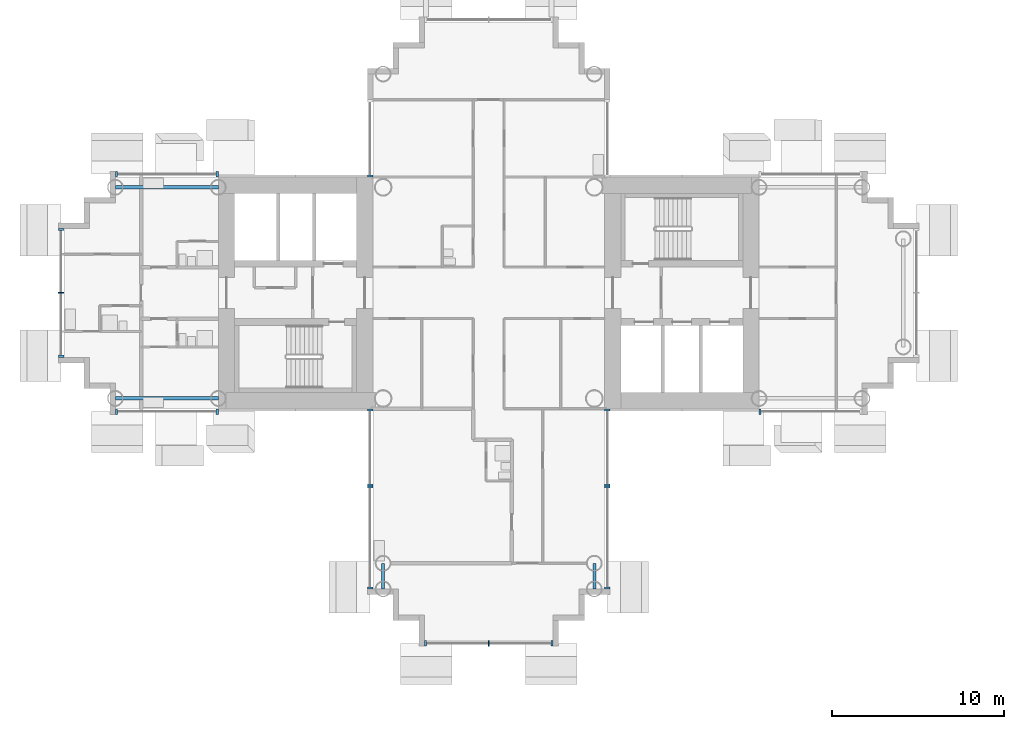
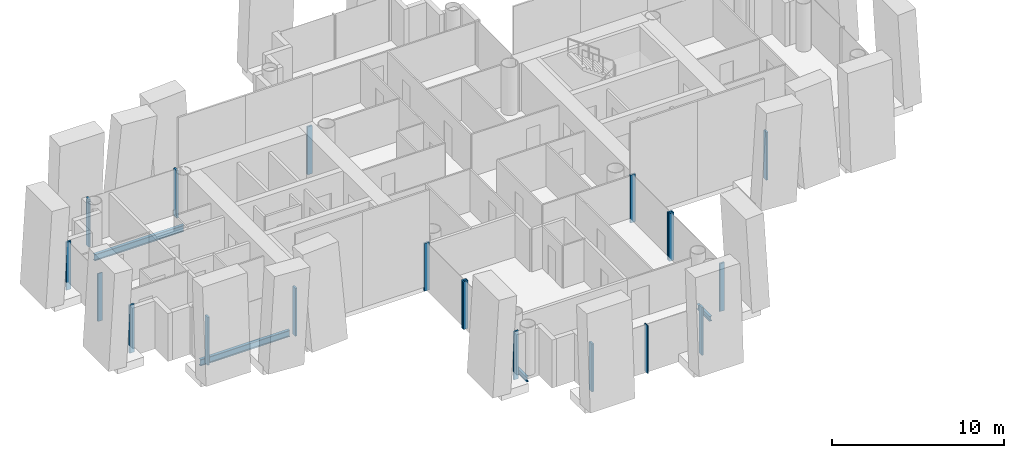
# One storey, part 3 of 21: 20 members, 4 beams, 10 elements without a shape of their own.
"""IFC4 building model written with IfcOpenShell, lengths in metres."""

from ifc_helpers import new_model, si_unit, direction, frame, origin, origin_2d, place, context, subcontext, project, spatial, rectangle, i_section, extrude, material, layer, layer_set, material_profile, profile_set, type_object, element, aggregate, save


model = new_model("IFC4")

# Units and contexts
model_context = context("Model", 3, precision=1e-05, world=origin(), true_north=direction((0.0, 1.0)))
body_context = subcontext(model_context, "Body", "Model", "MODEL_VIEW")
ifc_project = project(units=[si_unit("LENGTHUNIT", "METRE"), si_unit("AREAUNIT", "SQUARE_METRE"), si_unit("VOLUMEUNIT", "CUBIC_METRE"), si_unit("PLANEANGLEUNIT", "RADIAN"), si_unit("MASSUNIT", "GRAM", prefix="KILO")], contexts=[model_context])

# Site, building, storey
site_placement = place(None, origin())
site = spatial("IfcSite", under=ifc_project, at=site_placement, CompositionType="ELEMENT")
building_placement = place(site_placement, origin())
building = spatial("IfcBuilding", under=site, at=building_placement, Name="Ipe Terrace Towers", CompositionType="ELEMENT")
storey_placement = place(building_placement, frame((0.0, 0.0, 80.0)))
storey = spatial("IfcBuildingStorey", under=building, at=storey_placement, Name="L21", CompositionType="ELEMENT", Elevation=80.0)

# Beams
ifc_material_1 = material(Name="Steel S355", Category="steel")
ifc_material_profile_1 = material_profile(ifc_material_1, i_section(OverallWidth=0.175048828125, OverallDepth=0.35009765625, WebThickness=0.007080078125, FlangeThickness=0.010986328125, at=origin_2d()), Name="H-350x175x7x11")
ifc_profile_set_1 = profile_set([ifc_material_profile_1], Name="Steel S355")
beam_type_1 = type_object("IfcBeamType", Name="H04 EDGE BEAM H-350x175x7x11", PredefinedType="BEAM", material=ifc_profile_set_1)
for number, where, z_axis, x_axis, name in (
    (1, (-42.14990234375, -15.75, -0.574951171875), (0.0, -1.0, 0.0), (1.0, 0.0, 0.0), "Edge beam T1-EB-D03-D05"),
    (2, (-29.85009765625, -15.75, -0.574951171875), (0.0, -1.0, 0.0), (1.0, 0.0, 0.0), "Edge beam T1-EB-D04-D06"),
):
    element("IfcBeam", number, at=place(storey_placement, frame(where, z_axis=z_axis, x_axis=x_axis)), inside=storey, type_object=beam_type_1, Name=name, PredefinedType="BEAM", context=body_context, shape_type="SweptSolid", body=[
        extrude(i_section(OverallWidth=0.175048828125, OverallDepth=0.35009765625, WebThickness=0.007080078125, FlangeThickness=0.010986328125, at=origin_2d()), origin(), (0.0, 0.0, 1.0), 1.5),
    ])
ifc_material_2 = material(Name="Steel S355", Category="steel")
ifc_material_profile_2 = material_profile(ifc_material_2, i_section(OverallWidth=0.199951171875, OverallDepth=0.449951171875, WebThickness=0.009033203125, FlangeThickness=0.013916015625, at=origin_2d()), Name="H-450x200x9x14")
ifc_profile_set_2 = profile_set([ifc_material_profile_2], Name="Steel S355")
beam_type_2 = type_object("IfcBeamType", Name="H08 EDGE BEAM H-450x200x9x14", PredefinedType="BEAM", material=ifc_profile_set_2)
for number, where, z_axis, x_axis, name in (
    (3, (-51.75, -6.14990234375, -0.625), (-1.0, 0.0, 0.0), (0.0, -1.0, 0.0), "Edge beam T1-EB-C01-C03"),
    (4, (-51.75, 6.14990234375, -0.625), (-1.0, 0.0, 0.0), (0.0, -1.0, 0.0), "Edge beam T1-EB-C02-C04"),
):
    element("IfcBeam", number, at=place(storey_placement, frame(where, z_axis=z_axis, x_axis=x_axis)), inside=storey, type_object=beam_type_2, Name=name, PredefinedType="BEAM", context=body_context, shape_type="SweptSolid", body=[
        extrude(i_section(OverallWidth=0.199951171875, OverallDepth=0.449951171875, WebThickness=0.009033203125, FlangeThickness=0.013916015625, at=origin_2d()), origin(), (0.0, 0.0, 1.0), 6.0),
    ])

# Curtain wall, members
ifc_material_3 = material(Name="Aluminium alloy 6063-T6", Category="aluminium")
ifc_layer = layer(ifc_material_3, 0.320068359375)
ifc_layer_set = layer_set([ifc_layer], Name="TOWER UNITISED CURTAIN WALL")
curtain_wall_type = type_object("IfcCurtainWallType", Name="TOWER UNITISED CURTAIN WALL", PredefinedType="NOTDEFINED", material=ifc_layer_set)
curtain_wall_1_placement = place(storey_placement, origin())
curtain_wall_1 = element("IfcCurtainWall", 5, at=curtain_wall_1_placement, inside=storey, type_object=curtain_wall_type, Name="T1-CW-L21-04a curtain wall", PredefinedType="NOTDEFINED")
ifc_material_4 = material(Name="Aluminium alloy 6063-T6", Category="aluminium")
ifc_material_profile_3 = material_profile(ifc_material_4, rectangle(XDim=0.320068359375, YDim=0.1201171875, at=origin_2d()), Name="TOWER UNITISED CORNER MULLION 320 x 120")
ifc_profile_set_3 = profile_set([ifc_material_profile_3], Name="Aluminium alloy 6063-T6")
member_type_1 = type_object("IfcMemberType", Name="TOWER UNITISED CORNER MULLION 320 x 120", PredefinedType="MULLION", material=ifc_profile_set_3)
member_1_placement = place(storey_placement, frame((-57.68994140625, -6.909912109375, -0.300048828125), z_axis=(0.0, 0.0, 1.0), x_axis=(0.0, -1.0, 0.0)))
member_1 = element("IfcMember", 6, at=member_1_placement, type_object=member_type_1, Name="T1-CW-L21-04a mullion 1", PredefinedType="MULLION", context=body_context, shape_type="SweptSolid", body=[
    extrude(rectangle(XDim=0.320068359375, YDim=0.1201171875, at=origin_2d()), origin(), (0.0, 0.0, 1.0), 3.400146484375),
])
member_2_placement = place(storey_placement, frame((-51.81103515625, -6.909912109375, -0.300048828125), z_axis=(0.0, 0.0, 1.0), x_axis=(0.0, -1.0, 0.0)))
member_2 = element("IfcMember", 7, at=member_2_placement, type_object=member_type_1, Name="T1-CW-L21-04a mullion 2", PredefinedType="MULLION", context=body_context, shape_type="SweptSolid", body=[
    extrude(rectangle(XDim=0.320068359375, YDim=0.1201171875, at=origin_2d()), origin(), (0.0, 0.0, 1.0), 3.400146484375),
])
aggregate(curtain_wall_1, [member_1, member_2])

curtain_wall_2_placement = place(storey_placement, origin())
curtain_wall_2 = element("IfcCurtainWall", 8, at=curtain_wall_2_placement, inside=storey, type_object=curtain_wall_type, Name="T1-CW-L21-06a curtain wall", PredefinedType="NOTDEFINED")
member_3_placement = place(storey_placement, frame((-42.909912109375, -6.81005859375, -0.300048828125), z_axis=(0.0, 0.0, 1.0), x_axis=(-1.0, 0.0, 0.0)))
member_3 = element("IfcMember", 9, at=member_3_placement, type_object=member_type_1, Name="T1-CW-L21-06a mullion 1", PredefinedType="MULLION", context=body_context, shape_type="SweptSolid", body=[
    extrude(rectangle(XDim=0.320068359375, YDim=0.1201171875, at=origin_2d()), origin(), (0.0, 0.0, 1.0), 3.400146484375),
])
member_4_placement = place(storey_placement, frame((-42.909912109375, -11.18994140625, -0.300048828125), z_axis=(0.0, 0.0, 1.0), x_axis=(-1.0, 0.0, 0.0)))
member_4 = element("IfcMember", 10, at=member_4_placement, type_object=member_type_1, Name="T1-CW-L21-06a mullion 2", PredefinedType="MULLION", context=body_context, shape_type="SweptSolid", body=[
    extrude(rectangle(XDim=0.320068359375, YDim=0.1201171875, at=origin_2d()), origin(), (0.0, 0.0, 1.0), 3.400146484375),
])
aggregate(curtain_wall_2, [member_3, member_4])

curtain_wall_3_placement = place(storey_placement, origin())
curtain_wall_3 = element("IfcCurtainWall", 11, at=curtain_wall_3_placement, inside=storey, type_object=curtain_wall_type, Name="T1-CW-L21-07a curtain wall", PredefinedType="NOTDEFINED")
member_5_placement = place(storey_placement, frame((-42.909912109375, -11.31005859375, -0.300048828125), z_axis=(0.0, 0.0, 1.0), x_axis=(-1.0, 0.0, 0.0)))
member_5 = element("IfcMember", 12, at=member_5_placement, type_object=member_type_1, Name="T1-CW-L21-07a mullion 1", PredefinedType="MULLION", context=body_context, shape_type="SweptSolid", body=[
    extrude(rectangle(XDim=0.320068359375, YDim=0.1201171875, at=origin_2d()), origin(), (0.0, 0.0, 1.0), 3.400146484375),
])
member_6_placement = place(storey_placement, frame((-42.909912109375, -17.18994140625, -0.300048828125), z_axis=(0.0, 0.0, 1.0), x_axis=(-1.0, 0.0, 0.0)))
member_6 = element("IfcMember", 13, at=member_6_placement, type_object=member_type_1, Name="T1-CW-L21-07a mullion 2", PredefinedType="MULLION", context=body_context, shape_type="SweptSolid", body=[
    extrude(rectangle(XDim=0.320068359375, YDim=0.1201171875, at=origin_2d()), origin(), (0.0, 0.0, 1.0), 3.400146484375),
])
aggregate(curtain_wall_3, [member_5, member_6])

curtain_wall_4_placement = place(storey_placement, origin())
curtain_wall_4 = element("IfcCurtainWall", 14, at=curtain_wall_4_placement, inside=storey, type_object=curtain_wall_type, Name="T1-CW-L21-12a curtain wall", PredefinedType="NOTDEFINED")
member_7_placement = place(storey_placement, frame((-39.68994140625, -20.409912109375, -0.300048828125), z_axis=(0.0, 0.0, 1.0), x_axis=(0.0, -1.0, 0.0)))
member_7 = element("IfcMember", 15, at=member_7_placement, type_object=member_type_1, Name="T1-CW-L21-12a mullion 1", PredefinedType="MULLION", context=body_context, shape_type="SweptSolid", body=[
    extrude(rectangle(XDim=0.320068359375, YDim=0.1201171875, at=origin_2d()), origin(), (0.0, 0.0, 1.0), 3.400146484375),
])
member_8_placement = place(storey_placement, frame((-32.31005859375, -20.409912109375, -0.300048828125), z_axis=(0.0, 0.0, 1.0), x_axis=(0.0, -1.0, 0.0)))
member_8 = element("IfcMember", 16, at=member_8_placement, type_object=member_type_1, Name="T1-CW-L21-12a mullion 3", PredefinedType="MULLION", context=body_context, shape_type="SweptSolid", body=[
    extrude(rectangle(XDim=0.320068359375, YDim=0.1201171875, at=origin_2d()), origin(), (0.0, 0.0, 1.0), 3.400146484375),
])

curtain_wall_5_placement = place(storey_placement, origin())
curtain_wall_5 = element("IfcCurtainWall", 17, at=curtain_wall_5_placement, inside=storey, type_object=curtain_wall_type, Name="T1-CW-L21-17a curtain wall", PredefinedType="NOTDEFINED")
member_9_placement = place(storey_placement, frame((-29.090087890625, -17.18994140625, -0.300048828125), z_axis=(0.0, 0.0, 1.0), x_axis=(1.0, 0.0, 0.0)))
member_9 = element("IfcMember", 18, at=member_9_placement, type_object=member_type_1, Name="T1-CW-L21-17a mullion 1", PredefinedType="MULLION", context=body_context, shape_type="SweptSolid", body=[
    extrude(rectangle(XDim=0.320068359375, YDim=0.1201171875, at=origin_2d()), origin(), (0.0, 0.0, 1.0), 3.400146484375),
])
member_10_placement = place(storey_placement, frame((-29.090087890625, -11.31005859375, -0.300048828125), z_axis=(0.0, 0.0, 1.0), x_axis=(1.0, 0.0, 0.0)))
member_10 = element("IfcMember", 19, at=member_10_placement, type_object=member_type_1, Name="T1-CW-L21-17a mullion 2", PredefinedType="MULLION", context=body_context, shape_type="SweptSolid", body=[
    extrude(rectangle(XDim=0.320068359375, YDim=0.1201171875, at=origin_2d()), origin(), (0.0, 0.0, 1.0), 3.400146484375),
])
aggregate(curtain_wall_5, [member_9, member_10])

curtain_wall_6_placement = place(storey_placement, origin())
curtain_wall_6 = element("IfcCurtainWall", 20, at=curtain_wall_6_placement, inside=storey, type_object=curtain_wall_type, Name="T1-CW-L21-18a curtain wall", PredefinedType="NOTDEFINED")
member_11_placement = place(storey_placement, frame((-29.090087890625, -11.18994140625, -0.300048828125), z_axis=(0.0, 0.0, 1.0), x_axis=(1.0, 0.0, 0.0)))
member_11 = element("IfcMember", 21, at=member_11_placement, type_object=member_type_1, Name="T1-CW-L21-18a mullion 1", PredefinedType="MULLION", context=body_context, shape_type="SweptSolid", body=[
    extrude(rectangle(XDim=0.320068359375, YDim=0.1201171875, at=origin_2d()), origin(), (0.0, 0.0, 1.0), 3.400146484375),
])
member_12_placement = place(storey_placement, frame((-29.090087890625, -6.81005859375, -0.300048828125), z_axis=(0.0, 0.0, 1.0), x_axis=(1.0, 0.0, 0.0)))
member_12 = element("IfcMember", 22, at=member_12_placement, type_object=member_type_1, Name="T1-CW-L21-18a mullion 2", PredefinedType="MULLION", context=body_context, shape_type="SweptSolid", body=[
    extrude(rectangle(XDim=0.320068359375, YDim=0.1201171875, at=origin_2d()), origin(), (0.0, 0.0, 1.0), 3.400146484375),
])
aggregate(curtain_wall_6, [member_11, member_12])

# Curtain wall, member
curtain_wall_7_placement = place(storey_placement, origin())
curtain_wall_7 = element("IfcCurtainWall", 23, at=curtain_wall_7_placement, inside=storey, type_object=curtain_wall_type, Name="T1-CW-L21-20b curtain wall", PredefinedType="NOTDEFINED")
member_13_placement = place(storey_placement, frame((-20.18896484375, -6.909912109375, -0.300048828125), z_axis=(0.0, 0.0, 1.0), x_axis=(0.0, -1.0, 0.0)))
member_13 = element("IfcMember", 24, at=member_13_placement, type_object=member_type_1, Name="T1-CW-L21-20b mullion 1", PredefinedType="MULLION", context=body_context, shape_type="SweptSolid", body=[
    extrude(rectangle(XDim=0.320068359375, YDim=0.1201171875, at=origin_2d()), origin(), (0.0, 0.0, 1.0), 3.400146484375),
])
aggregate(curtain_wall_7, [member_13])

curtain_wall_8_placement = place(storey_placement, origin())
curtain_wall_8 = element("IfcCurtainWall", 25, at=curtain_wall_8_placement, inside=storey, type_object=curtain_wall_type, Name="T1-CW-L21-44a curtain wall", PredefinedType="NOTDEFINED")
member_14_placement = place(storey_placement, frame((-42.909912109375, 6.81005859375, -0.300048828125), z_axis=(0.0, 0.0, 1.0), x_axis=(-1.0, 0.0, 0.0)))
member_14 = element("IfcMember", 26, at=member_14_placement, type_object=member_type_1, Name="T1-CW-L21-44a mullion 2", PredefinedType="MULLION", context=body_context, shape_type="SweptSolid", body=[
    extrude(rectangle(XDim=0.320068359375, YDim=0.1201171875, at=origin_2d()), origin(), (0.0, 0.0, 1.0), 3.400146484375),
])
aggregate(curtain_wall_8, [member_14])

# Curtain wall, members
curtain_wall_9_placement = place(storey_placement, origin())
curtain_wall_9 = element("IfcCurtainWall", 27, at=curtain_wall_9_placement, inside=storey, type_object=curtain_wall_type, Name="T1-CW-L21-46b curtain wall", PredefinedType="NOTDEFINED")
member_15_placement = place(storey_placement, frame((-51.81103515625, 6.909912109375, -0.300048828125), z_axis=(0.0, 0.0, 1.0), x_axis=(0.0, 1.0, 0.0)))
member_15 = element("IfcMember", 28, at=member_15_placement, type_object=member_type_1, Name="T1-CW-L21-46b mullion 1", PredefinedType="MULLION", context=body_context, shape_type="SweptSolid", body=[
    extrude(rectangle(XDim=0.320068359375, YDim=0.1201171875, at=origin_2d()), origin(), (0.0, 0.0, 1.0), 3.400146484375),
])
member_16_placement = place(storey_placement, frame((-57.68994140625, 6.909912109375, -0.300048828125), z_axis=(0.0, 0.0, 1.0), x_axis=(0.0, 1.0, 0.0)))
member_16 = element("IfcMember", 29, at=member_16_placement, type_object=member_type_1, Name="T1-CW-L21-46b mullion 2", PredefinedType="MULLION", context=body_context, shape_type="SweptSolid", body=[
    extrude(rectangle(XDim=0.320068359375, YDim=0.1201171875, at=origin_2d()), origin(), (0.0, 0.0, 1.0), 3.400146484375),
])
aggregate(curtain_wall_9, [member_15, member_16])

curtain_wall_10_placement = place(storey_placement, origin())
curtain_wall_10 = element("IfcCurtainWall", 30, at=curtain_wall_10_placement, inside=storey, type_object=curtain_wall_type, Name="T1-CW-L21-51a curtain wall", PredefinedType="NOTDEFINED")
member_17_placement = place(storey_placement, frame((-60.909912109375, 3.68994140625, -0.300048828125), z_axis=(0.0, 0.0, 1.0), x_axis=(-1.0, 0.0, 0.0)))
member_17 = element("IfcMember", 31, at=member_17_placement, type_object=member_type_1, Name="T1-CW-L21-51a mullion 1", PredefinedType="MULLION", context=body_context, shape_type="SweptSolid", body=[
    extrude(rectangle(XDim=0.320068359375, YDim=0.1201171875, at=origin_2d()), origin(), (0.0, 0.0, 1.0), 3.400146484375),
])
member_18_placement = place(storey_placement, frame((-60.909912109375, -3.68994140625, -0.300048828125), z_axis=(0.0, 0.0, 1.0), x_axis=(-1.0, 0.0, 0.0)))
member_18 = element("IfcMember", 32, at=member_18_placement, type_object=member_type_1, Name="T1-CW-L21-51a mullion 3", PredefinedType="MULLION", context=body_context, shape_type="SweptSolid", body=[
    extrude(rectangle(XDim=0.320068359375, YDim=0.1201171875, at=origin_2d()), origin(), (0.0, 0.0, 1.0), 3.400146484375),
])

# Member
ifc_material_5 = material(Name="Aluminium alloy 6063-T6", Category="aluminium")
ifc_material_profile_4 = material_profile(ifc_material_5, rectangle(XDim=0.320068359375, YDim=0.06494140625, at=origin_2d()), Name="TOWER UNITISED MULLION 320 x 65")
ifc_profile_set_4 = profile_set([ifc_material_profile_4], Name="Aluminium alloy 6063-T6")
member_type_2 = type_object("IfcMemberType", Name="TOWER UNITISED MULLION 320 x 65", PredefinedType="MULLION", material=ifc_profile_set_4)
member_19_placement = place(storey_placement, frame((-36.0, -20.409912109375, -0.300048828125), z_axis=(0.0, 0.0, 1.0), x_axis=(0.0, -1.0, 0.0)))
member_19 = element("IfcMember", 33, at=member_19_placement, type_object=member_type_2, Name="T1-CW-L21-12a mullion 2", PredefinedType="MULLION", context=body_context, shape_type="SweptSolid", body=[
    extrude(rectangle(XDim=0.320068359375, YDim=0.06494140625, at=origin_2d()), origin(), (0.0, 0.0, 1.0), 3.400146484375),
])

aggregate(curtain_wall_4, [member_7, member_19, member_8])

member_20_placement = place(storey_placement, frame((-60.909912109375, 0.0, -0.300048828125), z_axis=(0.0, 0.0, 1.0), x_axis=(-1.0, 0.0, 0.0)))
member_20 = element("IfcMember", 34, at=member_20_placement, type_object=member_type_2, Name="T1-CW-L21-51a mullion 2", PredefinedType="MULLION", context=body_context, shape_type="SweptSolid", body=[
    extrude(rectangle(XDim=0.320068359375, YDim=0.06494140625, at=origin_2d()), origin(), (0.0, 0.0, 1.0), 3.400146484375),
])

aggregate(curtain_wall_10, [member_17, member_20, member_18])

save(model, "model.ifc")
